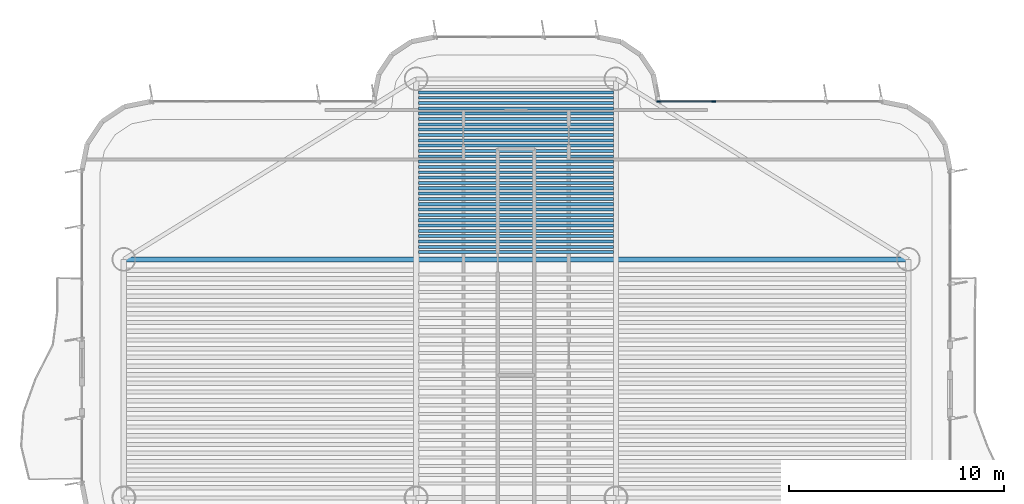
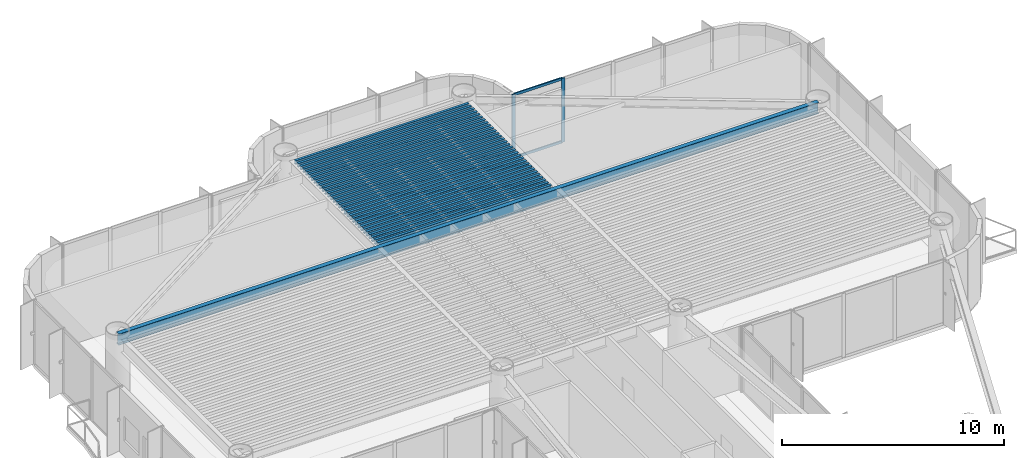
# One storey, part 6 of 13: 32 beams, 4 members, 1 element without a shape of its own.
"""IFC4 building model written with IfcOpenShell, lengths in metres."""

from ifc_helpers import new_model, si_unit, direction, frame, origin, origin_2d, place, context, subcontext, project, spatial, rectangle, i_section, extrude, source, transform, mapped, material, layer, layer_set, material_profile, profile_set, type_object, element, aggregate, save


model = new_model("IFC4")

# Units and contexts
model_context = context("Model", 3, precision=1e-05, world=origin(), true_north=direction((0.0, 1.0)))
body_context = subcontext(model_context, "Body", "Model", "MODEL_VIEW")
ifc_project = project(units=[si_unit("LENGTHUNIT", "METRE"), si_unit("AREAUNIT", "SQUARE_METRE"), si_unit("VOLUMEUNIT", "CUBIC_METRE"), si_unit("PLANEANGLEUNIT", "RADIAN"), si_unit("MASSUNIT", "GRAM", prefix="KILO")], contexts=[model_context])

# Site, building, storey
site_placement = place(None, origin())
site = spatial("IfcSite", under=ifc_project, at=site_placement, CompositionType="ELEMENT")
building_placement = place(site_placement, origin())
building = spatial("IfcBuilding", under=site, at=building_placement, Name="Brelvock Crest Care Tower", CompositionType="ELEMENT")
storey_placement = place(building_placement, frame((0.0, 0.0, 190.43994140625)))
storey = spatial("IfcBuildingStorey", under=building, at=storey_placement, Name="L48", CompositionType="ELEMENT", Elevation=190.43994140625)

# Beams
ifc_material_1 = material(Name="Steel Grade 350", Category="steel")
ifc_material_profile_1 = material_profile(ifc_material_1, i_section(OverallWidth=0.14599609375, OverallDepth=0.256103515625, WebThickness=0.00634765625, FlangeThickness=0.010986328125, FilletRadius=0.0087890625, at=origin_2d()), Name="250UB37.3")
ifc_profile_set_1 = profile_set([ifc_material_profile_1], Name="Steel Grade 350")
beam_type_1 = type_object("IfcBeamType", Name="BM-J3", PredefinedType="JOIST", material=ifc_profile_set_1)
shared_shape_1 = source(origin(), body_context, "Body", "SweptSolid", [
    extrude(i_section(OverallWidth=0.14599609375, OverallDepth=0.256103515625, WebThickness=0.00634765625, FlangeThickness=0.010986328125, FilletRadius=0.0087890625, at=origin_2d()), origin(), (0.0, 0.0, 1.0), 9.06982421875),
])
for number, where, z_axis, x_axis, name in (
    (1, (31.465087890625, 46.385986328125, 3.402099609375), (1.0, 0.0, 0.0), (0.0, 1.0, 0.0), "BM-JN-L48-1"),
    (2, (31.465087890625, 46.6337890625, 3.402099609375), (1.0, 0.0, 0.0), (0.0, 1.0, 0.0), "BM-JN-L48-2"),
    (3, (31.465087890625, 46.881591796875, 3.402099609375), (1.0, 0.0, 0.0), (0.0, 1.0, 0.0), "BM-JN-L48-3"),
    (4, (31.465087890625, 47.12939453125, 3.402099609375), (1.0, 0.0, 0.0), (0.0, 1.0, 0.0), "BM-JN-L48-4"),
    (5, (31.465087890625, 47.377197265625, 3.402099609375), (1.0, 0.0, 0.0), (0.0, 1.0, 0.0), "BM-JN-L48-5"),
    (6, (31.465087890625, 47.625, 3.402099609375), (1.0, 0.0, 0.0), (0.0, 1.0, 0.0), "BM-JN-L48-6"),
    (7, (31.465087890625, 47.872802734375, 3.402099609375), (1.0, 0.0, 0.0), (0.0, 1.0, 0.0), "BM-JN-L48-7"),
    (8, (31.465087890625, 48.12060546875, 3.402099609375), (1.0, 0.0, 0.0), (0.0, 1.0, 0.0), "BM-JN-L48-8"),
    (9, (31.465087890625, 48.368408203125, 3.402099609375), (1.0, 0.0, 0.0), (0.0, 1.0, 0.0), "BM-JN-L48-9"),
    (10, (31.465087890625, 48.6162109375, 3.402099609375), (1.0, 0.0, 0.0), (0.0, 1.0, 0.0), "BM-JN-L48-10"),
    (11, (31.465087890625, 48.864013671875, 3.402099609375), (1.0, 0.0, 0.0), (0.0, 1.0, 0.0), "BM-JN-L48-11"),
    (12, (31.465087890625, 49.11181640625, 3.402099609375), (1.0, 0.0, 0.0), (0.0, 1.0, 0.0), "BM-JN-L48-12"),
    (13, (31.465087890625, 49.359619140625, 3.402099609375), (1.0, 0.0, 0.0), (0.0, 1.0, 0.0), "BM-JN-L48-13"),
):
    element("IfcBeam", number, at=place(storey_placement, frame(where, z_axis=z_axis, x_axis=x_axis)), inside=storey, type_object=beam_type_1, Name=name, PredefinedType="JOIST", context=body_context, shape_type="MappedRepresentation", body=[
        mapped(shared_shape_1, transform((0.0, 0.0, 0.0), x_axis=(1.0, 0.0, 0.0), y_axis=(0.0, 1.0, 0.0), z_axis=(0.0, 0.0, 1.0), scale=1.0)),
    ])
ifc_material_profile_2 = material_profile(ifc_material_1, i_section(OverallWidth=0.134033203125, OverallDepth=0.20703125, WebThickness=0.00634765625, FlangeThickness=0.009521484375, FilletRadius=0.0087890625, at=origin_2d()), Name="200UB29.8")
ifc_profile_set_2 = profile_set([ifc_material_profile_2], Name="Steel Grade 350")
beam_type_2 = type_object("IfcBeamType", Name="BM-J4", PredefinedType="JOIST", material=ifc_profile_set_2)
shared_shape_2 = source(origin(), body_context, "Body", "SweptSolid", [
    extrude(i_section(OverallWidth=0.134033203125, OverallDepth=0.20703125, WebThickness=0.00634765625, FlangeThickness=0.009521484375, FilletRadius=0.0087890625, at=origin_2d()), origin(), (0.0, 0.0, 1.0), 9.06982421875),
])
for number, where, z_axis, x_axis, name in (
    (14, (31.465087890625, 49.607421875, 3.426513671875), (1.0, 0.0, 0.0), (0.0, 1.0, 0.0), "BM-JN-L48-14"),
    (15, (31.465087890625, 49.855224609375, 3.426513671875), (1.0, 0.0, 0.0), (0.0, 1.0, 0.0), "BM-JN-L48-15"),
    (16, (31.465087890625, 50.10302734375, 3.426513671875), (1.0, 0.0, 0.0), (0.0, 1.0, 0.0), "BM-JN-L48-16"),
    (17, (31.465087890625, 50.350830078125, 3.426513671875), (1.0, 0.0, 0.0), (0.0, 1.0, 0.0), "BM-JN-L48-17"),
    (18, (31.465087890625, 50.5986328125, 3.426513671875), (1.0, 0.0, 0.0), (0.0, 1.0, 0.0), "BM-JN-L48-18"),
    (19, (31.465087890625, 50.846435546875, 3.426513671875), (1.0, 0.0, 0.0), (0.0, 1.0, 0.0), "BM-JN-L48-19"),
    (20, (31.465087890625, 51.09423828125, 3.426513671875), (1.0, 0.0, 0.0), (0.0, 1.0, 0.0), "BM-JN-L48-20"),
    (21, (31.465087890625, 51.342041015625, 3.426513671875), (1.0, 0.0, 0.0), (0.0, 1.0, 0.0), "BM-JN-L48-21"),
    (22, (31.465087890625, 51.58984375, 3.426513671875), (1.0, 0.0, 0.0), (0.0, 1.0, 0.0), "BM-JN-L48-22"),
    (23, (31.465087890625, 51.837646484375, 3.426513671875), (1.0, 0.0, 0.0), (0.0, 1.0, 0.0), "BM-JN-L48-23"),
    (24, (31.465087890625, 52.08544921875, 3.426513671875), (1.0, 0.0, 0.0), (0.0, 1.0, 0.0), "BM-JN-L48-24"),
    (25, (31.465087890625, 52.333251953125, 3.426513671875), (1.0, 0.0, 0.0), (0.0, 1.0, 0.0), "BM-JN-L48-25"),
    (26, (31.465087890625, 52.5810546875, 3.426513671875), (1.0, 0.0, 0.0), (0.0, 1.0, 0.0), "BM-JN-L48-26"),
    (27, (31.465087890625, 52.828857421875, 3.426513671875), (1.0, 0.0, 0.0), (0.0, 1.0, 0.0), "BM-JN-L48-27"),
    (28, (31.465087890625, 53.07666015625, 3.426513671875), (1.0, 0.0, 0.0), (0.0, 1.0, 0.0), "BM-JN-L48-28"),
    (29, (31.465087890625, 53.324462890625, 3.426513671875), (1.0, 0.0, 0.0), (0.0, 1.0, 0.0), "BM-JN-L48-29"),
    (30, (31.465087890625, 53.572265625, 3.426513671875), (1.0, 0.0, 0.0), (0.0, 1.0, 0.0), "BM-JN-L48-30"),
    (31, (31.465087890625, 53.820068359375, 3.426513671875), (1.0, 0.0, 0.0), (0.0, 1.0, 0.0), "BM-JN-L48-31"),
):
    element("IfcBeam", number, at=place(storey_placement, frame(where, z_axis=z_axis, x_axis=x_axis)), inside=storey, type_object=beam_type_2, Name=name, PredefinedType="JOIST", context=body_context, shape_type="MappedRepresentation", body=[
        mapped(shared_shape_2, transform((0.0, 0.0, 0.0), x_axis=(1.0, 0.0, 0.0), y_axis=(0.0, 1.0, 0.0), z_axis=(0.0, 0.0, 1.0), scale=1.0)),
    ])
ifc_material_profile_3 = material_profile(ifc_material_1, i_section(OverallWidth=0.22900390625, OverallDepth=0.612060546875, WebThickness=0.011962890625, FlangeThickness=0.01953125, FilletRadius=0.013916015625, at=origin_2d()), Name="610UB125")
ifc_profile_set_3 = profile_set([ifc_material_profile_3], Name="Steel Grade 350")
beam_type_3 = type_object("IfcBeamType", Name="BM-G1", PredefinedType="BEAM", material=ifc_profile_set_3)
shared_shape_3 = source(origin(), body_context, "Body", "SweptSolid", [
    extrude(i_section(OverallWidth=0.22900390625, OverallDepth=0.612060546875, WebThickness=0.011962890625, FlangeThickness=0.01953125, FilletRadius=0.013916015625, at=origin_2d()), origin(), (0.0, 0.0, 1.0), 36.5),
])
beam_placement = place(storey_placement, frame((17.75, 46.050048828125, 3.22412109375), z_axis=(1.0, 0.0, 0.0), x_axis=(0.0, 1.0, 0.0)))
element("IfcBeam", 32, at=beam_placement, inside=storey, type_object=beam_type_3, Name="BM-TWR-L48-11", PredefinedType="BEAM", context=body_context, shape_type="MappedRepresentation", body=[
    mapped(shared_shape_3, transform((0.0, 0.0, 0.0), x_axis=(1.0, 0.0, 0.0), y_axis=(0.0, 1.0, 0.0), z_axis=(0.0, 0.0, 1.0), scale=1.0)),
])

# Curtain wall, members
ifc_material_2 = material(Name="Dark Glass Double Glazed Low-E", Category="glass")
ifc_layer = layer(ifc_material_2, 0.22509765625, Name="CWS-4")
ifc_layer_set = layer_set([ifc_layer], Name="Dark Glass Double Glazed Low-E")
curtain_wall_type = type_object("IfcCurtainWallType", Name="CWS-4", PredefinedType="NOTDEFINED", material=ifc_layer_set)
curtain_wall_placement = place(storey_placement, origin())
curtain_wall = element("IfcCurtainWall", 33, at=curtain_wall_placement, inside=storey, type_object=curtain_wall_type, Name="L48 Curtain Wall E34", PredefinedType="NOTDEFINED")
ifc_material_3 = material(Name="Aluminium 6063-T6", Category="aluminium")
ifc_material_profile_4 = material_profile(ifc_material_3, rectangle(XDim=0.06005859375, YDim=0.179931640625, at=origin_2d()), Name="ALU60x180")
ifc_profile_set_4 = profile_set([ifc_material_profile_4], Name="Aluminium 6063-T6")
member_type_1 = type_object("IfcMemberType", Name="CWM-2", PredefinedType="MULLION", material=ifc_profile_set_4)
shared_shape_4 = source(origin(), body_context, "Body", "SweptSolid", [
    extrude(rectangle(XDim=0.06005859375, YDim=0.179931640625, at=origin_2d()), origin(), (0.0, 0.0, 1.0), 3.530029296875),
])
member_1_placement = place(storey_placement, frame((42.6298828125, 53.39990234375, 0.0), z_axis=(0.0, 0.0, 1.0), x_axis=(0.0, 1.0, 0.0)))
member_1 = element("IfcMember", 34, at=member_1_placement, type_object=member_type_1, Name="CW-4 mullion 1", PredefinedType="MULLION", context=body_context, shape_type="MappedRepresentation", body=[
    mapped(shared_shape_4, transform((0.0, 0.0, 0.0), x_axis=(1.0, 0.0, 0.0), y_axis=(0.0, 1.0, 0.0), z_axis=(0.0, 0.0, 1.0), scale=1.0)),
])
member_2_placement = place(storey_placement, frame((45.199951171875, 53.39990234375, 0.0), z_axis=(0.0, 0.0, 1.0), x_axis=(0.0, 1.0, 0.0)))
member_2 = element("IfcMember", 35, at=member_2_placement, type_object=member_type_1, Name="CW-4 mullion 2", PredefinedType="MULLION", context=body_context, shape_type="MappedRepresentation", body=[
    mapped(shared_shape_4, transform((0.0, 0.0, 0.0), x_axis=(1.0, 0.0, 0.0), y_axis=(0.0, 1.0, 0.0), z_axis=(0.0, 0.0, 1.0), scale=1.0)),
])
ifc_material_profile_5 = material_profile(ifc_material_3, rectangle(XDim=0.06005859375, YDim=0.139892578125, at=origin_2d()), Name="ALU60x140")
ifc_profile_set_5 = profile_set([ifc_material_profile_5], Name="Aluminium 6063-T6")
member_type_2 = type_object("IfcMemberType", Name="CWT-2", PredefinedType="USERDEFINED", material=ifc_profile_set_5)
shared_shape_5 = source(origin(), body_context, "Body", "SweptSolid", [
    extrude(rectangle(XDim=0.06005859375, YDim=0.139892578125, at=origin_2d()), origin(), (0.0, 0.0, 1.0), 2.510009765625),
])
member_3_placement = place(storey_placement, frame((42.659912109375, 53.39990234375, 0.030029296875), z_axis=(1.0, 0.0, 0.0), x_axis=(0.0, 1.0, 0.0)))
member_3 = element("IfcMember", 36, at=member_3_placement, type_object=member_type_2, Name="CW-4 transom 1.1", ObjectType="TRANSOM", PredefinedType="USERDEFINED", context=body_context, shape_type="MappedRepresentation", body=[
    mapped(shared_shape_5, transform((0.0, 0.0, 0.0), x_axis=(1.0, 0.0, 0.0), y_axis=(0.0, 1.0, 0.0), z_axis=(0.0, 0.0, 1.0), scale=1.0)),
])
member_4_placement = place(storey_placement, frame((42.659912109375, 53.39990234375, 3.5), z_axis=(1.0, 0.0, 0.0), x_axis=(0.0, 1.0, 0.0)))
member_4 = element("IfcMember", 37, at=member_4_placement, type_object=member_type_2, Name="CW-4 transom 1.2", ObjectType="TRANSOM", PredefinedType="USERDEFINED", context=body_context, shape_type="MappedRepresentation", body=[
    mapped(shared_shape_5, transform((0.0, 0.0, 0.0), x_axis=(1.0, 0.0, 0.0), y_axis=(0.0, 1.0, 0.0), z_axis=(0.0, 0.0, 1.0), scale=1.0)),
])
aggregate(curtain_wall, [member_1, member_2, member_3, member_4])

save(model, "model.ifc")
